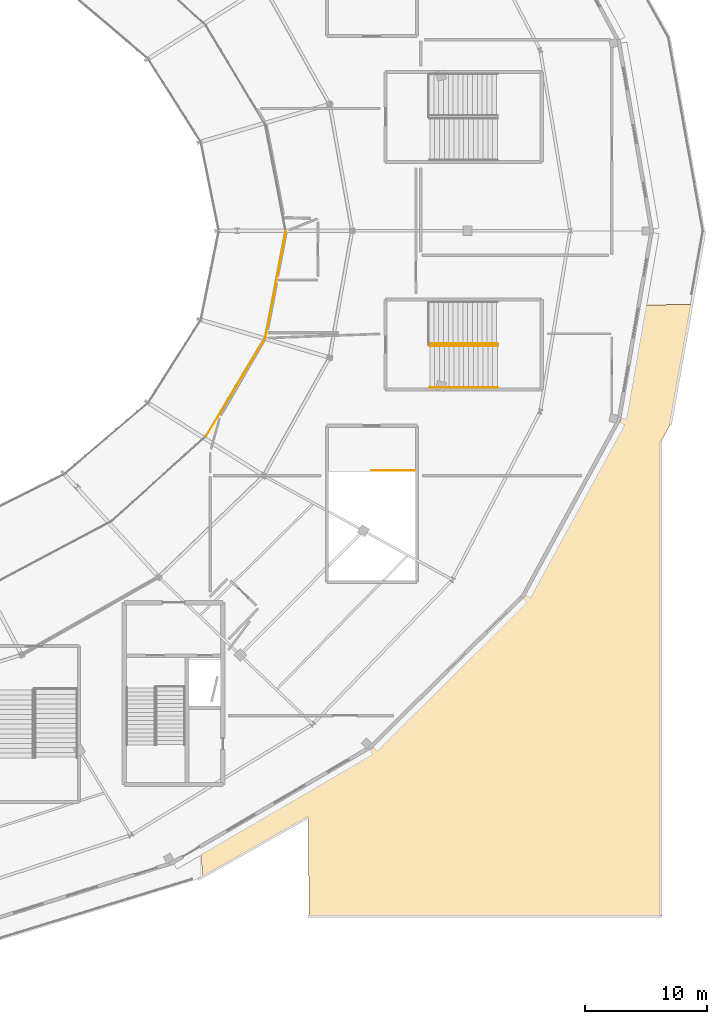
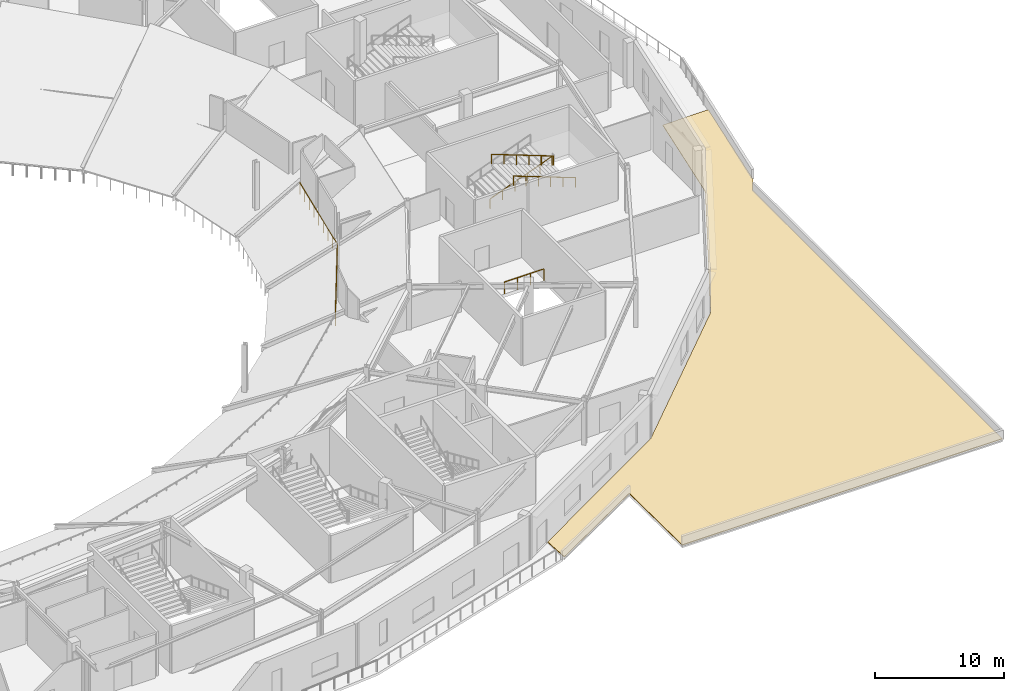
# One storey, part 60 of 63: 6 railings, 1 covering.
"""IFC4 building model written with IfcOpenShell, lengths in metres."""

from ifc_helpers import new_model, si_unit, direction, frame, origin, origin_2d, place, context, subcontext, project, spatial, polyline, circle, outline, extrude, material, layer, layer_set, type_object, element, save


model = new_model("IFC4")

# Units and contexts
model_context = context("Model", 3, precision=1e-05, world=origin(), true_north=direction((0.0, 1.0)))
body_context = subcontext(model_context, "Body", "Model", "MODEL_VIEW")
ifc_project = project(units=[si_unit("LENGTHUNIT", "METRE"), si_unit("AREAUNIT", "SQUARE_METRE"), si_unit("VOLUMEUNIT", "CUBIC_METRE"), si_unit("PLANEANGLEUNIT", "RADIAN"), si_unit("MASSUNIT", "GRAM", prefix="KILO")], contexts=[model_context])

# Site, building, storey
site_placement = place(None, origin())
site = spatial("IfcSite", under=ifc_project, at=site_placement, CompositionType="ELEMENT")
building_placement = place(site_placement, origin())
building = spatial("IfcBuilding", under=site, at=building_placement, Name="Kalgoora Escarpment Arena", CompositionType="ELEMENT")
storey_placement = place(building_placement, frame((0.0, 0.0, 14.39990234375)))
storey = spatial("IfcBuildingStorey", under=building, at=storey_placement, Name="L03", CompositionType="ELEMENT", Elevation=14.39990234375)

# Covering
ifc_material_1 = material(Name="Waterproof ballast roofing membrane")
ifc_layer = layer(ifc_material_1, 0.06005859375)
ifc_layer_set = layer_set([ifc_layer], Name="COV-ROOF-POD")
covering_type = type_object("IfcCoveringType", Name="COV-ROOF-POD", PredefinedType="ROOFING", material=ifc_layer_set)
covering_placement = place(storey_placement, origin())
element("IfcCovering", 1, at=covering_placement, inside=storey, type_object=covering_type, Name="L03 stepped podium roof membrane 1", PredefinedType="ROOFING", context=body_context, shape_type="SweptSolid", body=[
    extrude(outline(polyline([(134.1494140625, 11.197265625), (134.0341796875, 13.572265625), (147.978515625, 21.715087890625), (160.469482421875, 34.10009765625), (168.32177734375, 48.522705078125), (169.956787109375, 57.9453125), (174.07470703125, 57.977783203125), (172.381591796875, 48.177001953125), (171.60009765625, 46.768310546875), (171.577392578125, 8.03662109375), (142.87109375, 8.00439453125), (142.7998046875, 16.103515625), (134.1494140625, 11.197265625)])), origin(), (0.0, 0.0, 1.0), 0.06005859375),
])

# Railings
ifc_material_2 = material(Name="Galvanised & powdercoated tubular steel", Category="steel")
railing_type_1 = type_object("IfcRailingType", Name="RAL-GUARD-1120", PredefinedType="GUARDRAIL", material=ifc_material_2)
railing_1_placement = place(storey_placement, frame((151.489990234375, 44.409912109375, 0.0)))
element("IfcRailing", 2, at=railing_1_placement, inside=storey, type_object=railing_type_1, Name="ST24 top landing well guardrail", PredefinedType="GUARDRAIL", context=body_context, shape_type="SweptSolid", body=[
    extrude(circle(Radius=0.02392578125, at=origin_2d()), frame((0.0, 0.0, 1.09619140625), z_axis=(-1.0, 0.0, 0.0), x_axis=(0.0, -1.0, 0.0)), (0.0, 0.0, 1.0), 3.530029296875),
    extrude(circle(Radius=0.02099609375, at=origin_2d()), origin(), (0.0, 0.0, 1.0), 1.072021484375),
    extrude(circle(Radius=0.02099609375, at=origin_2d()), frame((-1.1767578125, 0.0, 0.0)), (0.0, 0.0, 1.0), 1.072021484375),
    extrude(circle(Radius=0.02099609375, at=origin_2d()), frame((-2.353271484375, 0.0, 0.0)), (0.0, 0.0, 1.0), 1.072021484375),
    extrude(circle(Radius=0.02099609375, at=origin_2d()), frame((-3.530029296875, 0.0, 0.0)), (0.0, 0.0, 1.0), 1.072021484375),
])
railing_2_placement = place(storey_placement, frame((134.445556640625, 47.22509765625, 0.0)))
element("IfcRailing", 3, at=railing_2_placement, inside=storey, type_object=railing_type_1, Name="L03 concourse bowl balustrade 23", PredefinedType="GUARDRAIL", context=body_context, shape_type="SweptSolid", body=[
    extrude(circle(Radius=0.02392578125, at=origin_2d()), frame((0.0, 0.0, 1.09619140625), z_axis=(0.514118933044, 0.857718906569, 0.0), x_axis=(-0.857718906569, 0.514118933044, 0.0)), (0.0, 0.0, 1.0), 9.433837890625),
    extrude(circle(Radius=0.02099609375, at=origin_2d()), origin(), (0.0, 0.0, 1.0), 1.072021484375),
    extrude(circle(Radius=0.02099609375, at=origin_2d()), frame((0.606201171875, 1.011474609375, 0.0)), (0.0, 0.0, 1.0), 1.072021484375),
    extrude(circle(Radius=0.02099609375, at=origin_2d()), frame((1.21240234375, 2.02294921875, 0.0)), (0.0, 0.0, 1.0), 1.072021484375),
    extrude(circle(Radius=0.02099609375, at=origin_2d()), frame((1.81884765625, 3.034423828125, 0.0)), (0.0, 0.0, 1.0), 1.072021484375),
    extrude(circle(Radius=0.02099609375, at=origin_2d()), frame((2.425048828125, 4.0458984375, 0.0)), (0.0, 0.0, 1.0), 1.072021484375),
    extrude(circle(Radius=0.02099609375, at=origin_2d()), frame((3.03125, 5.05712890625, 0.0)), (0.0, 0.0, 1.0), 1.072021484375),
    extrude(circle(Radius=0.02099609375, at=origin_2d()), frame((3.6376953125, 6.068603515625, 0.0)), (0.0, 0.0, 1.0), 1.072021484375),
    extrude(circle(Radius=0.02099609375, at=origin_2d()), frame((4.243896484375, 7.080078125, 0.0)), (0.0, 0.0, 1.0), 1.072021484375),
    extrude(circle(Radius=0.02099609375, at=origin_2d()), frame((4.85009765625, 8.091552734375, 0.0)), (0.0, 0.0, 1.0), 1.072021484375),
])
railing_3_placement = place(storey_placement, frame((139.295654296875, 55.316650390625, 0.0)))
element("IfcRailing", 4, at=railing_3_placement, inside=storey, type_object=railing_type_1, Name="L03 concourse bowl balustrade 24", PredefinedType="GUARDRAIL", context=body_context, shape_type="SweptSolid", body=[
    extrude(circle(Radius=0.02392578125, at=origin_2d()), frame((0.0, 0.0, 1.09619140625), z_axis=(0.187147644058, 0.982331796962, 0.0), x_axis=(-0.982331796962, 0.187147644058, 0.0)), (0.0, 0.0, 1.0), 8.839599609375),
    extrude(circle(Radius=0.02099609375, at=origin_2d()), origin(), (0.0, 0.0, 1.0), 1.072021484375),
    extrude(circle(Radius=0.02099609375, at=origin_2d()), frame((0.206787109375, 1.08544921875, 0.0)), (0.0, 0.0, 1.0), 1.072021484375),
    extrude(circle(Radius=0.02099609375, at=origin_2d()), frame((0.41357421875, 2.1708984375, 0.0)), (0.0, 0.0, 1.0), 1.072021484375),
    extrude(circle(Radius=0.02099609375, at=origin_2d()), frame((0.620361328125, 3.25634765625, 0.0)), (0.0, 0.0, 1.0), 1.072021484375),
    extrude(circle(Radius=0.02099609375, at=origin_2d()), frame((0.8271484375, 4.341796875, 0.0)), (0.0, 0.0, 1.0), 1.072021484375),
    extrude(circle(Radius=0.02099609375, at=origin_2d()), frame((1.033935546875, 5.427001953125, 0.0)), (0.0, 0.0, 1.0), 1.072021484375),
    extrude(circle(Radius=0.02099609375, at=origin_2d()), frame((1.24072265625, 6.512451171875, 0.0)), (0.0, 0.0, 1.0), 1.072021484375),
    extrude(circle(Radius=0.02099609375, at=origin_2d()), frame((1.447509765625, 7.597900390625, 0.0)), (0.0, 0.0, 1.0), 1.072021484375),
    extrude(circle(Radius=0.02099609375, at=origin_2d()), frame((1.654296875, 8.683349609375, 0.0)), (0.0, 0.0, 1.0), 1.072021484375),
])
ifc_material_3 = material(Name="Brushed stainless steel 316 handrail", Category="steel")
railing_type_2 = type_object("IfcRailingType", Name="RAL-HAND-920", PredefinedType="HANDRAIL", material=ifc_material_3)
railing_4_placement = place(storey_placement, frame((152.68994140625, 54.81005859375, 0.110107421875)))
element("IfcRailing", 5, at=railing_4_placement, inside=storey, type_object=railing_type_2, Name="ST22 L03 pitched stair handrail F1R", PredefinedType="HANDRAIL", context=body_context, shape_type="SweptSolid", body=[
    extrude(circle(Radius=0.02392578125, at=origin_2d()), frame((0.0, 0.0, 0.89599609375), z_axis=(0.935492612948, 0.0, 0.353346248203), x_axis=(0.0, 1.0, 0.0)), (0.0, 0.0, 1.0), 5.943359375),
    extrude(circle(Radius=0.02099609375, at=origin_2d()), origin(), (0.0, 0.0, 1.0), 0.871826171875),
    extrude(circle(Radius=0.02099609375, at=origin_2d()), frame((1.112060546875, 0.0, 0.419921875)), (0.0, 0.0, 1.0), 0.871826171875),
    extrude(circle(Radius=0.02099609375, at=origin_2d()), frame((2.22412109375, 0.0, 0.840087890625)), (0.0, 0.0, 1.0), 0.871826171875),
    extrude(circle(Radius=0.02099609375, at=origin_2d()), frame((3.3359375, 0.0, 1.260009765625)), (0.0, 0.0, 1.0), 0.871826171875),
    extrude(circle(Radius=0.02099609375, at=origin_2d()), frame((4.447998046875, 0.0, 1.68017578125)), (0.0, 0.0, 1.0), 0.871826171875),
    extrude(circle(Radius=0.02099609375, at=origin_2d()), frame((5.56005859375, 0.0, 2.10009765625)), (0.0, 0.0, 1.0), 0.871826171875),
])
for number, where, name in (
    (6, (158.25, 54.590087890625, 2.360107421875), "ST22 L03 pitched stair handrail F2L"),
    (7, (158.25, 51.199951171875, 2.360107421875), "ST22 L03 pitched stair handrail F2R"),
):
    element("IfcRailing", number, at=place(storey_placement, frame(where)), inside=storey, type_object=railing_type_2, Name=name, PredefinedType="HANDRAIL", context=body_context, shape_type="SweptSolid", body=[
        extrude(circle(Radius=0.02392578125, at=origin_2d()), frame((0.0, 0.0, 0.89599609375), z_axis=(-0.935492612948, 0.0, 0.353346248203), x_axis=(0.0, -1.0, 0.0)), (0.0, 0.0, 1.0), 5.943359375),
        extrude(circle(Radius=0.02099609375, at=origin_2d()), origin(), (0.0, 0.0, 1.0), 0.871826171875),
        extrude(circle(Radius=0.02099609375, at=origin_2d()), frame((-1.112060546875, 0.0, 0.419921875)), (0.0, 0.0, 1.0), 0.871826171875),
        extrude(circle(Radius=0.02099609375, at=origin_2d()), frame((-2.22412109375, 0.0, 0.840087890625)), (0.0, 0.0, 1.0), 0.871826171875),
        extrude(circle(Radius=0.02099609375, at=origin_2d()), frame((-3.3359375, 0.0, 1.260009765625)), (0.0, 0.0, 1.0), 0.871826171875),
        extrude(circle(Radius=0.02099609375, at=origin_2d()), frame((-4.447998046875, 0.0, 1.68017578125)), (0.0, 0.0, 1.0), 0.871826171875),
        extrude(circle(Radius=0.02099609375, at=origin_2d()), frame((-5.56005859375, 0.0, 2.10009765625)), (0.0, 0.0, 1.0), 0.871826171875),
    ])

save(model, "model.ifc")
